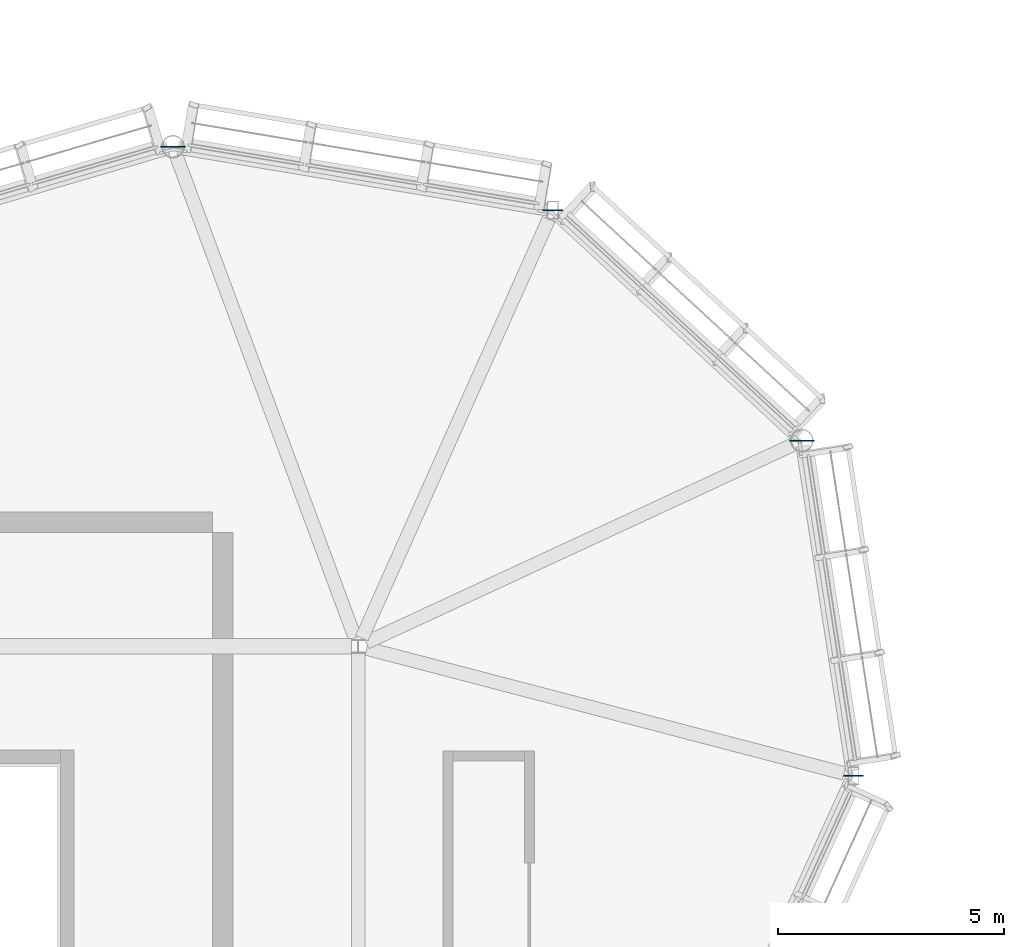
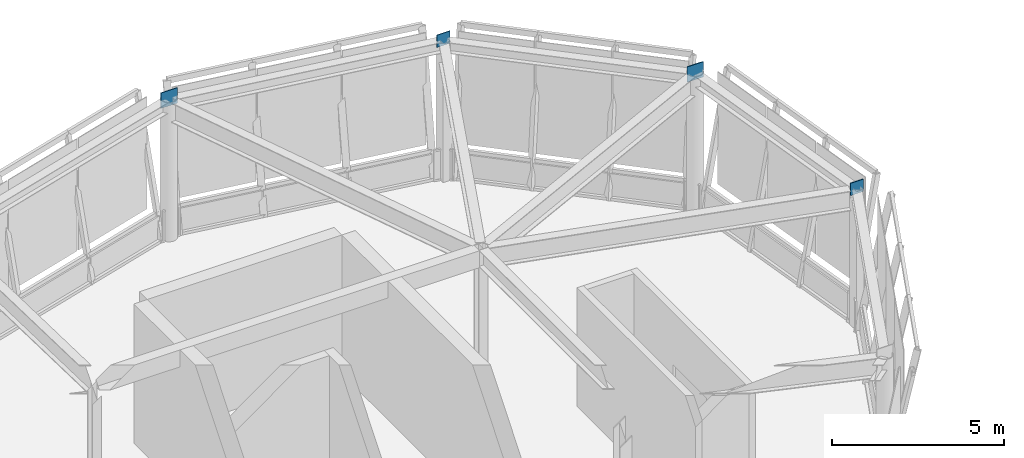
# One storey, part 98 of 113: 4 plates.
"""IFC4 building model written with IfcOpenShell, lengths in metres."""

from ifc_helpers import new_model, si_unit, direction, frame, origin, origin_2d, place, context, subcontext, project, spatial, rectangle, extrude, material, layer, layer_set, type_object, element, save


model = new_model("IFC4")

# Units and contexts
model_context = context("Model", 3, precision=1e-05, world=origin(), true_north=direction((0.0, 1.0)))
body_context = subcontext(model_context, "Body", "Model", "MODEL_VIEW")
ifc_project = project(units=[si_unit("LENGTHUNIT", "METRE"), si_unit("AREAUNIT", "SQUARE_METRE"), si_unit("VOLUMEUNIT", "CUBIC_METRE"), si_unit("PLANEANGLEUNIT", "RADIAN"), si_unit("MASSUNIT", "GRAM", prefix="KILO")], contexts=[model_context])

# Site, building, storey
site_placement = place(None, origin())
site = spatial("IfcSite", under=ifc_project, at=site_placement, CompositionType="ELEMENT")
building_placement = place(site_placement, origin())
building = spatial("IfcBuilding", under=site, at=building_placement, Name="Linyun Crest Stadium", CompositionType="ELEMENT")
storey_placement = place(building_placement, frame((0.0, 0.0, 26.39990234375)))
storey = spatial("IfcBuildingStorey", under=building, at=storey_placement, Name="L06", CompositionType="ELEMENT", Elevation=26.39990234375)

# Plates
ifc_material = material(Name="Steel Q420C", Category="steel")
ifc_layer = layer(ifc_material, 0.02392578125)
ifc_layer_set = layer_set([ifc_layer], Name="Steel Q420C")
plate_type = type_object("IfcPlateType", Name="EP02", PredefinedType="USERDEFINED", material=ifc_layer_set)
plate_1_placement = place(storey_placement, frame((89.8349609375, 93.31005859375, 4.6708984375), z_axis=(0.0, 0.0, 1.0), x_axis=(1.0, 0.0, 0.0)))
element("IfcPlate", 1, at=plate_1_placement, inside=storey, type_object=plate_type, Name="Hollow section cap end plate EP02 403", ObjectType="END PLATE", PredefinedType="USERDEFINED", context=body_context, shape_type="SweptSolid", body=[
    extrude(rectangle(XDim=0.548095703125, YDim=0.02392578125, at=origin_2d()), origin(), (0.0, 0.0, 1.0), 0.548095703125),
])
plate_2_placement = place(storey_placement, frame((84.31298828125, 98.416015625, 4.72509765625), z_axis=(0.0, 0.0, 1.0), x_axis=(1.0, 0.0, 0.0)))
element("IfcPlate", 2, at=plate_2_placement, inside=storey, type_object=plate_type, Name="Hollow section cap end plate EP02 408", ObjectType="END PLATE", PredefinedType="USERDEFINED", context=body_context, shape_type="SweptSolid", body=[
    extrude(rectangle(XDim=0.43994140625, YDim=0.02392578125, at=origin_2d()), origin(), (0.0, 0.0, 1.0), 0.43994140625),
])
plate_3_placement = place(storey_placement, frame((75.89404296875, 99.825927734375, 4.6708984375), z_axis=(0.0, 0.0, 1.0), x_axis=(1.0, 0.0, 0.0)))
element("IfcPlate", 3, at=plate_3_placement, inside=storey, type_object=plate_type, Name="Hollow section cap end plate EP02 413", ObjectType="END PLATE", PredefinedType="USERDEFINED", context=body_context, shape_type="SweptSolid", body=[
    extrude(rectangle(XDim=0.548095703125, YDim=0.02392578125, at=origin_2d()), origin(), (0.0, 0.0, 1.0), 0.548095703125),
])
plate_4_placement = place(storey_placement, frame((90.97900390625, 85.8779296875, 4.72509765625), z_axis=(0.0, 0.0, 1.0), x_axis=(1.0, 0.0, 0.0)))
element("IfcPlate", 4, at=plate_4_placement, inside=storey, type_object=plate_type, Name="Hollow section cap end plate EP02 458", ObjectType="END PLATE", PredefinedType="USERDEFINED", context=body_context, shape_type="SweptSolid", body=[
    extrude(rectangle(XDim=0.43994140625, YDim=0.02392578125, at=origin_2d()), origin(), (0.0, 0.0, 1.0), 0.43994140625),
])

save(model, "model.ifc")
